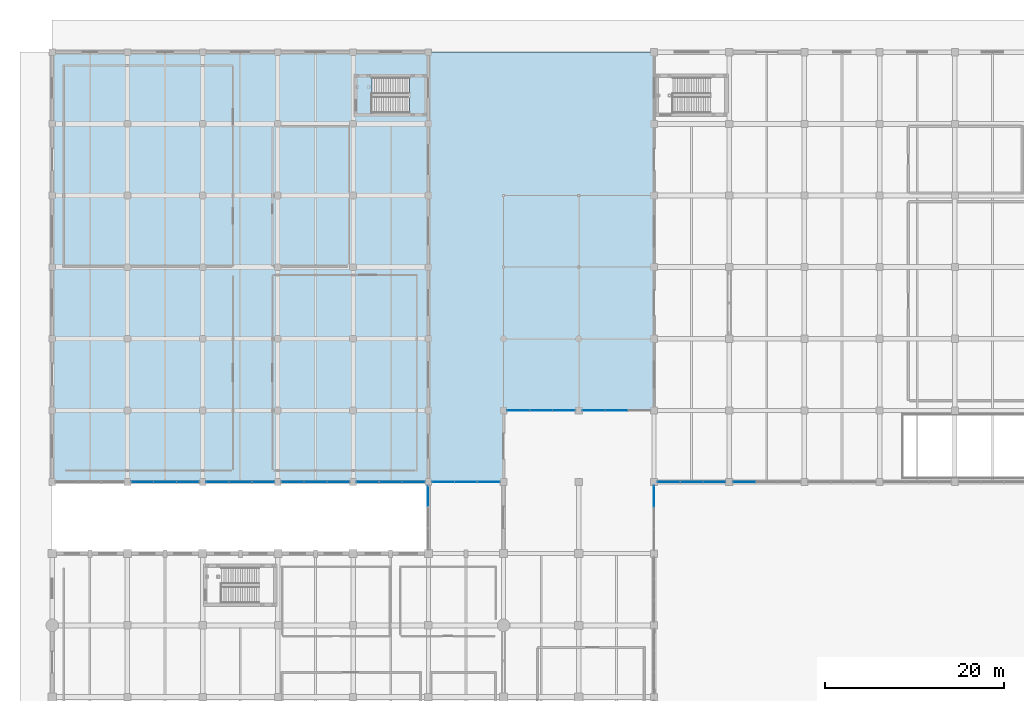
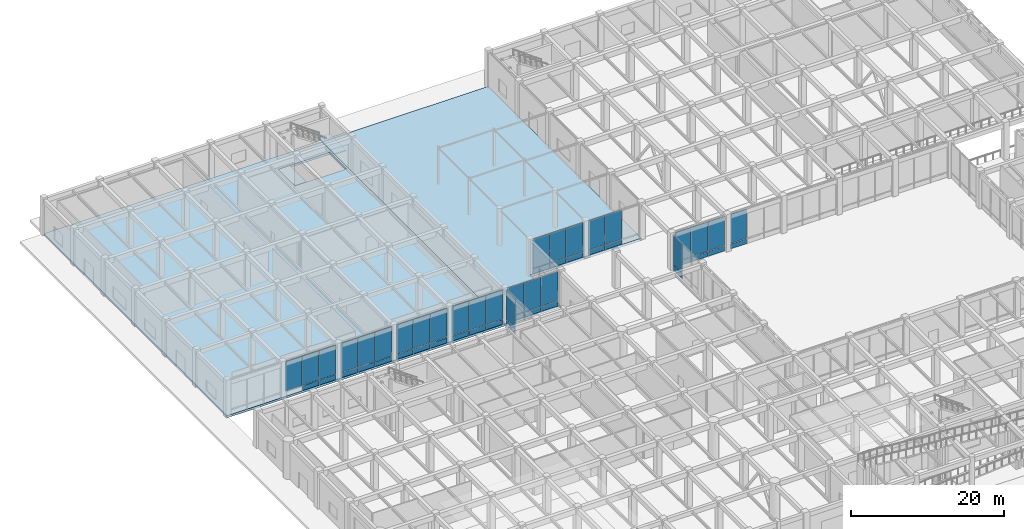
# One storey, part 45 of 76: 51 plates, 4 slabs, 12 elements without a shape of their own.
"""IFC4 building model written with IfcOpenShell, lengths in metres."""

from ifc_helpers import new_model, si_unit, direction, frame, origin, origin_2d, place, context, subcontext, project, spatial, polyline, rectangle, outline, extrude, material, layer, layer_set, type_object, element, aggregate, save


model = new_model("IFC4")

# Units and contexts
model_context = context("Model", 3, precision=1e-05, world=origin(), true_north=direction((0.0, 1.0)))
body_context = subcontext(model_context, "Body", "Model", "MODEL_VIEW")
ifc_project = project(units=[si_unit("LENGTHUNIT", "METRE"), si_unit("AREAUNIT", "SQUARE_METRE"), si_unit("VOLUMEUNIT", "CUBIC_METRE"), si_unit("PLANEANGLEUNIT", "RADIAN"), si_unit("MASSUNIT", "GRAM", prefix="KILO")], contexts=[model_context])

# Site, building, storey
site_placement = place(None, origin())
site = spatial("IfcSite", under=ifc_project, at=site_placement, CompositionType="ELEMENT")
building_placement = place(site_placement, origin())
building = spatial("IfcBuilding", under=site, at=building_placement, Name="Naruveol Harbour Congress Hotel", CompositionType="ELEMENT")
storey_placement = place(building_placement, origin())
storey = spatial("IfcBuildingStorey", under=building, at=storey_placement, Name="L00", CompositionType="ELEMENT", Elevation=0.0)

# Curtain wall, plates
ifc_material_1 = material(Name="Low-E Curtain Wall System", Category="glass")
ifc_layer_1 = layer(ifc_material_1, 0.179931640625)
ifc_layer_set_1 = layer_set([ifc_layer_1], Name="Low-E Curtain Wall System")
curtain_wall_type_1 = type_object("IfcCurtainWallType", Name="UNITISED CURTAIN WALL CW-SPLN-08 7625X5700", PredefinedType="USERDEFINED", material=ifc_layer_set_1)
curtain_wall_1_placement = place(storey_placement, origin())
curtain_wall_1 = element("IfcCurtainWall", 1, at=curtain_wall_1_placement, inside=storey, type_object=curtain_wall_type_1, Name="Unitised curtain wall CW-SPLN-08 L00", ObjectType="UNITISED GLAZING", PredefinedType="USERDEFINED")
ifc_material_2 = material(Name="Anodised Aluminium Spandrel", Category="aluminium")
ifc_layer_2 = layer(ifc_material_2, 0.054931640625)
ifc_layer_set_2 = layer_set([ifc_layer_2], Name="Anodised Aluminium Spandrel")
plate_type_1 = type_object("IfcPlateType", Name="INSULATED CERAMIC SPANDREL PANEL 55", PredefinedType="CURTAIN_PANEL", material=ifc_layer_set_2)
plate_1_placement = place(storey_placement, frame((43.645751953125, 64.010009765625, 0.0400390625), z_axis=(0.0, 0.0, 1.0), x_axis=(1.0, 0.0, 0.0)))
plate_1 = element("IfcPlate", 2, at=plate_1_placement, type_object=plate_type_1, Name="Curtain wall spandrel panel CW-L00-0009-PS0", PredefinedType="CURTAIN_PANEL", context=body_context, shape_type="SweptSolid", body=[
    extrude(rectangle(XDim=2.4619140625, YDim=0.054931640625, at=origin_2d()), origin(), (0.0, 0.0, 1.0), 0.77001953125),
])
plate_2_placement = place(storey_placement, frame((46.1875, 64.010009765625, 0.0400390625), z_axis=(0.0, 0.0, 1.0), x_axis=(1.0, 0.0, 0.0)))
plate_2 = element("IfcPlate", 3, at=plate_2_placement, type_object=plate_type_1, Name="Curtain wall spandrel panel CW-L00-0009-PS1", PredefinedType="CURTAIN_PANEL", context=body_context, shape_type="SweptSolid", body=[
    extrude(rectangle(XDim=2.4619140625, YDim=0.054931640625, at=origin_2d()), origin(), (0.0, 0.0, 1.0), 0.77001953125),
])
plate_3_placement = place(storey_placement, frame((48.729248046875, 64.010009765625, 0.0400390625), z_axis=(0.0, 0.0, 1.0), x_axis=(1.0, 0.0, 0.0)))
plate_3 = element("IfcPlate", 4, at=plate_3_placement, type_object=plate_type_1, Name="Curtain wall spandrel panel CW-L00-0009-PS2", PredefinedType="CURTAIN_PANEL", context=body_context, shape_type="SweptSolid", body=[
    extrude(rectangle(XDim=2.4619140625, YDim=0.054931640625, at=origin_2d()), origin(), (0.0, 0.0, 1.0), 0.77001953125),
])

# Curtain wall, plate
ifc_material_3 = material(Name="Low-E Curtain Wall System", Category="glass")
ifc_layer_3 = layer(ifc_material_3, 0.179931640625)
ifc_layer_set_3 = layer_set([ifc_layer_3], Name="Low-E Curtain Wall System")
curtain_wall_type_2 = type_object("IfcCurtainWallType", Name="UNITISED CURTAIN WALL CW-SPLW-09 7175X5700", PredefinedType="USERDEFINED", material=ifc_layer_set_3)
curtain_wall_2_placement = place(storey_placement, origin())
curtain_wall_2 = element("IfcCurtainWall", 5, at=curtain_wall_2_placement, inside=storey, type_object=curtain_wall_type_2, Name="Unitised curtain wall CW-SPLW-09 L00", ObjectType="UNITISED GLAZING", PredefinedType="USERDEFINED")
plate_4_placement = place(storey_placement, frame((41.989990234375, 62.42919921875, 0.0400390625), z_axis=(0.0, 0.0, 1.0), x_axis=(0.0, 1.0, 0.0)))
plate_4 = element("IfcPlate", 6, at=plate_4_placement, type_object=plate_type_1, Name="Curtain wall spandrel panel CW-L00-0010-PS2", PredefinedType="CURTAIN_PANEL", context=body_context, shape_type="SweptSolid", body=[
    extrude(rectangle(XDim=2.31201171875, YDim=0.054931640625, at=origin_2d()), origin(), (0.0, 0.0, 1.0), 0.77001953125),
])

# Curtain wall, plates
ifc_material_4 = material(Name="Low-E Curtain Wall System", Category="glass")
ifc_layer_4 = layer(ifc_material_4, 0.179931640625)
ifc_layer_set_4 = layer_set([ifc_layer_4], Name="Low-E Curtain Wall System")
curtain_wall_type_3 = type_object("IfcCurtainWallType", Name="UNITISED CURTAIN WALL CW-V3S-12 7650X5700", PredefinedType="USERDEFINED", material=ifc_layer_set_4)
curtain_wall_3_placement = place(storey_placement, origin())
curtain_wall_3 = element("IfcCurtainWall", 7, at=curtain_wall_3_placement, inside=storey, type_object=curtain_wall_type_3, Name="Unitised curtain wall CW-V3S-12 L00", ObjectType="UNITISED GLAZING", PredefinedType="USERDEFINED")
plate_5_placement = place(storey_placement, frame((40.35009765625, 63.989990234375, 0.0400390625), z_axis=(0.0, 0.0, 1.0), x_axis=(-1.0, 0.0, 0.0)))
plate_5 = element("IfcPlate", 8, at=plate_5_placement, type_object=plate_type_1, Name="Curtain wall spandrel panel CW-L00-0013-PS0", PredefinedType="CURTAIN_PANEL", context=body_context, shape_type="SweptSolid", body=[
    extrude(rectangle(XDim=2.469970703125, YDim=0.054931640625, at=origin_2d()), origin(), (0.0, 0.0, 1.0), 0.77001953125),
])
plate_6_placement = place(storey_placement, frame((37.800048828125, 63.989990234375, 0.0400390625), z_axis=(0.0, 0.0, 1.0), x_axis=(-1.0, 0.0, 0.0)))
plate_6 = element("IfcPlate", 9, at=plate_6_placement, type_object=plate_type_1, Name="Curtain wall spandrel panel CW-L00-0013-PS1", PredefinedType="CURTAIN_PANEL", context=body_context, shape_type="SweptSolid", body=[
    extrude(rectangle(XDim=2.469970703125, YDim=0.054931640625, at=origin_2d()), origin(), (0.0, 0.0, 1.0), 0.77001953125),
])
plate_7_placement = place(storey_placement, frame((35.25, 63.989990234375, 0.0400390625), z_axis=(0.0, 0.0, 1.0), x_axis=(-1.0, 0.0, 0.0)))
plate_7 = element("IfcPlate", 10, at=plate_7_placement, type_object=plate_type_1, Name="Curtain wall spandrel panel CW-L00-0013-PS2", PredefinedType="CURTAIN_PANEL", context=body_context, shape_type="SweptSolid", body=[
    extrude(rectangle(XDim=2.469970703125, YDim=0.054931640625, at=origin_2d()), origin(), (0.0, 0.0, 1.0), 0.77001953125),
])

curtain_wall_4_placement = place(storey_placement, origin())
curtain_wall_4 = element("IfcCurtainWall", 11, at=curtain_wall_4_placement, inside=storey, type_object=curtain_wall_type_3, Name="Unitised curtain wall CW-V3S-12 L00", ObjectType="UNITISED GLAZING", PredefinedType="USERDEFINED")
plate_8_placement = place(storey_placement, frame((31.949951171875, 63.989990234375, 0.0400390625), z_axis=(0.0, 0.0, 1.0), x_axis=(-1.0, 0.0, 0.0)))
plate_8 = element("IfcPlate", 12, at=plate_8_placement, type_object=plate_type_1, Name="Curtain wall spandrel panel CW-L00-0014-PS0", PredefinedType="CURTAIN_PANEL", context=body_context, shape_type="SweptSolid", body=[
    extrude(rectangle(XDim=2.469970703125, YDim=0.054931640625, at=origin_2d()), origin(), (0.0, 0.0, 1.0), 0.77001953125),
])
plate_9_placement = place(storey_placement, frame((29.39990234375, 63.989990234375, 0.0400390625), z_axis=(0.0, 0.0, 1.0), x_axis=(-1.0, 0.0, 0.0)))
plate_9 = element("IfcPlate", 13, at=plate_9_placement, type_object=plate_type_1, Name="Curtain wall spandrel panel CW-L00-0014-PS1", PredefinedType="CURTAIN_PANEL", context=body_context, shape_type="SweptSolid", body=[
    extrude(rectangle(XDim=2.469970703125, YDim=0.054931640625, at=origin_2d()), origin(), (0.0, 0.0, 1.0), 0.77001953125),
])
plate_10_placement = place(storey_placement, frame((26.85009765625, 63.989990234375, 0.0400390625), z_axis=(0.0, 0.0, 1.0), x_axis=(-1.0, 0.0, 0.0)))
plate_10 = element("IfcPlate", 14, at=plate_10_placement, type_object=plate_type_1, Name="Curtain wall spandrel panel CW-L00-0014-PS2", PredefinedType="CURTAIN_PANEL", context=body_context, shape_type="SweptSolid", body=[
    extrude(rectangle(XDim=2.469970703125, YDim=0.054931640625, at=origin_2d()), origin(), (0.0, 0.0, 1.0), 0.77001953125),
])

curtain_wall_5_placement = place(storey_placement, origin())
curtain_wall_5 = element("IfcCurtainWall", 15, at=curtain_wall_5_placement, inside=storey, type_object=curtain_wall_type_3, Name="Unitised curtain wall CW-V3S-12 L00", ObjectType="UNITISED GLAZING", PredefinedType="USERDEFINED")
plate_11_placement = place(storey_placement, frame((23.550048828125, 63.989990234375, 0.0400390625), z_axis=(0.0, 0.0, 1.0), x_axis=(-1.0, 0.0, 0.0)))
plate_11 = element("IfcPlate", 16, at=plate_11_placement, type_object=plate_type_1, Name="Curtain wall spandrel panel CW-L00-0015-PS0", PredefinedType="CURTAIN_PANEL", context=body_context, shape_type="SweptSolid", body=[
    extrude(rectangle(XDim=2.469970703125, YDim=0.054931640625, at=origin_2d()), origin(), (0.0, 0.0, 1.0), 0.77001953125),
])
plate_12_placement = place(storey_placement, frame((21.0, 63.989990234375, 0.0400390625), z_axis=(0.0, 0.0, 1.0), x_axis=(-1.0, 0.0, 0.0)))
plate_12 = element("IfcPlate", 17, at=plate_12_placement, type_object=plate_type_1, Name="Curtain wall spandrel panel CW-L00-0015-PS1", PredefinedType="CURTAIN_PANEL", context=body_context, shape_type="SweptSolid", body=[
    extrude(rectangle(XDim=2.469970703125, YDim=0.054931640625, at=origin_2d()), origin(), (0.0, 0.0, 1.0), 0.77001953125),
])
plate_13_placement = place(storey_placement, frame((18.449951171875, 63.989990234375, 0.0400390625), z_axis=(0.0, 0.0, 1.0), x_axis=(-1.0, 0.0, 0.0)))
plate_13 = element("IfcPlate", 18, at=plate_13_placement, type_object=plate_type_1, Name="Curtain wall spandrel panel CW-L00-0015-PS2", PredefinedType="CURTAIN_PANEL", context=body_context, shape_type="SweptSolid", body=[
    extrude(rectangle(XDim=2.469970703125, YDim=0.054931640625, at=origin_2d()), origin(), (0.0, 0.0, 1.0), 0.77001953125),
])

curtain_wall_6_placement = place(storey_placement, origin())
curtain_wall_6 = element("IfcCurtainWall", 19, at=curtain_wall_6_placement, inside=storey, type_object=curtain_wall_type_3, Name="Unitised curtain wall CW-V3S-12 L00", ObjectType="UNITISED GLAZING", PredefinedType="USERDEFINED")
plate_14_placement = place(storey_placement, frame((15.14990234375, 63.989990234375, 0.0400390625), z_axis=(0.0, 0.0, 1.0), x_axis=(-1.0, 0.0, 0.0)))
plate_14 = element("IfcPlate", 20, at=plate_14_placement, type_object=plate_type_1, Name="Curtain wall spandrel panel CW-L00-0016-PS0", PredefinedType="CURTAIN_PANEL", context=body_context, shape_type="SweptSolid", body=[
    extrude(rectangle(XDim=2.469970703125, YDim=0.054931640625, at=origin_2d()), origin(), (0.0, 0.0, 1.0), 0.77001953125),
])
plate_15_placement = place(storey_placement, frame((12.60009765625, 63.989990234375, 0.0400390625), z_axis=(0.0, 0.0, 1.0), x_axis=(-1.0, 0.0, 0.0)))
plate_15 = element("IfcPlate", 21, at=plate_15_placement, type_object=plate_type_1, Name="Curtain wall spandrel panel CW-L00-0016-PS1", PredefinedType="CURTAIN_PANEL", context=body_context, shape_type="SweptSolid", body=[
    extrude(rectangle(XDim=2.469970703125, YDim=0.054931640625, at=origin_2d()), origin(), (0.0, 0.0, 1.0), 0.77001953125),
])

ifc_material_5 = material(Name="Low-E Curtain Wall System", Category="glass")
ifc_layer_5 = layer(ifc_material_5, 0.179931640625)
ifc_layer_set_5 = layer_set([ifc_layer_5], Name="Low-E Curtain Wall System")
curtain_wall_type_4 = type_object("IfcCurtainWallType", Name="UNITISED CURTAIN WALL CW-V4NF-25 7600X5700", PredefinedType="USERDEFINED", material=ifc_layer_set_5)
curtain_wall_7_placement = place(storey_placement, origin())
curtain_wall_7 = element("IfcCurtainWall", 22, at=curtain_wall_7_placement, inside=storey, type_object=curtain_wall_type_4, Name="Unitised curtain wall CW-V4NF-25 L00", ObjectType="UNITISED GLAZING", PredefinedType="USERDEFINED")
plate_16_placement = place(storey_placement, frame((52.066650390625, 72.010009765625, 0.0400390625), z_axis=(0.0, 0.0, 1.0), x_axis=(1.0, 0.0, 0.0)))
plate_16 = element("IfcPlate", 23, at=plate_16_placement, type_object=plate_type_1, Name="Curtain wall spandrel panel CW-L00-0052-PS0", PredefinedType="CURTAIN_PANEL", context=body_context, shape_type="SweptSolid", body=[
    extrude(rectangle(XDim=2.452880859375, YDim=0.054931640625, at=origin_2d()), origin(), (0.0, 0.0, 1.0), 0.77001953125),
])
plate_17_placement = place(storey_placement, frame((54.60009765625, 72.010009765625, 0.0400390625), z_axis=(0.0, 0.0, 1.0), x_axis=(1.0, 0.0, 0.0)))
plate_17 = element("IfcPlate", 24, at=plate_17_placement, type_object=plate_type_1, Name="Curtain wall spandrel panel CW-L00-0052-PS1", PredefinedType="CURTAIN_PANEL", context=body_context, shape_type="SweptSolid", body=[
    extrude(rectangle(XDim=2.452880859375, YDim=0.054931640625, at=origin_2d()), origin(), (0.0, 0.0, 1.0), 0.77001953125),
])
plate_18_placement = place(storey_placement, frame((57.13330078125, 72.010009765625, 0.0400390625), z_axis=(0.0, 0.0, 1.0), x_axis=(1.0, 0.0, 0.0)))
plate_18 = element("IfcPlate", 25, at=plate_18_placement, type_object=plate_type_1, Name="Curtain wall spandrel panel CW-L00-0052-PS2", PredefinedType="CURTAIN_PANEL", context=body_context, shape_type="SweptSolid", body=[
    extrude(rectangle(XDim=2.452880859375, YDim=0.054931640625, at=origin_2d()), origin(), (0.0, 0.0, 1.0), 0.77001953125),
])

curtain_wall_8_placement = place(storey_placement, origin())
curtain_wall_8 = element("IfcCurtainWall", 26, at=curtain_wall_8_placement, inside=storey, type_object=curtain_wall_type_4, Name="Unitised curtain wall CW-V4NF-25 L00", ObjectType="UNITISED GLAZING", PredefinedType="USERDEFINED")
plate_19_placement = place(storey_placement, frame((60.466796875, 72.010009765625, 0.0400390625), z_axis=(0.0, 0.0, 1.0), x_axis=(1.0, 0.0, 0.0)))
plate_19 = element("IfcPlate", 27, at=plate_19_placement, type_object=plate_type_1, Name="Curtain wall spandrel panel CW-L00-0053-PS0", PredefinedType="CURTAIN_PANEL", context=body_context, shape_type="SweptSolid", body=[
    extrude(rectangle(XDim=2.452880859375, YDim=0.054931640625, at=origin_2d()), origin(), (0.0, 0.0, 1.0), 0.77001953125),
])
plate_20_placement = place(storey_placement, frame((63.0, 72.010009765625, 0.0400390625), z_axis=(0.0, 0.0, 1.0), x_axis=(1.0, 0.0, 0.0)))
plate_20 = element("IfcPlate", 28, at=plate_20_placement, type_object=plate_type_1, Name="Curtain wall spandrel panel CW-L00-0053-PS1", PredefinedType="CURTAIN_PANEL", context=body_context, shape_type="SweptSolid", body=[
    extrude(rectangle(XDim=2.452880859375, YDim=0.054931640625, at=origin_2d()), origin(), (0.0, 0.0, 1.0), 0.77001953125),
])

ifc_material_6 = material(Name="Low-E Curtain Wall System", Category="glass")
ifc_layer_6 = layer(ifc_material_6, 0.179931640625)
ifc_layer_set_6 = layer_set([ifc_layer_6], Name="Low-E Curtain Wall System")
curtain_wall_type_5 = type_object("IfcCurtainWallType", Name="UNITISED CURTAIN WALL CW-CTN-26 7600X5700", PredefinedType="USERDEFINED", material=ifc_layer_set_6)
curtain_wall_9_placement = place(storey_placement, origin())
curtain_wall_9 = element("IfcCurtainWall", 29, at=curtain_wall_9_placement, inside=storey, type_object=curtain_wall_type_5, Name="Unitised curtain wall CW-CTN-26 L00", ObjectType="UNITISED GLAZING", PredefinedType="USERDEFINED")
plate_21_placement = place(storey_placement, frame((73.933349609375, 63.989990234375, 0.0400390625), z_axis=(0.0, 0.0, 1.0), x_axis=(-1.0, 0.0, 0.0)))
plate_21 = element("IfcPlate", 30, at=plate_21_placement, type_object=plate_type_1, Name="Curtain wall spandrel panel CW-L00-0054-PS0", PredefinedType="CURTAIN_PANEL", context=body_context, shape_type="SweptSolid", body=[
    extrude(rectangle(XDim=2.452880859375, YDim=0.054931640625, at=origin_2d()), origin(), (0.0, 0.0, 1.0), 0.77001953125),
])
plate_22_placement = place(storey_placement, frame((71.39990234375, 63.989990234375, 0.0400390625), z_axis=(0.0, 0.0, 1.0), x_axis=(-1.0, 0.0, 0.0)))
plate_22 = element("IfcPlate", 31, at=plate_22_placement, type_object=plate_type_1, Name="Curtain wall spandrel panel CW-L00-0054-PS1", PredefinedType="CURTAIN_PANEL", context=body_context, shape_type="SweptSolid", body=[
    extrude(rectangle(XDim=2.452880859375, YDim=0.054931640625, at=origin_2d()), origin(), (0.0, 0.0, 1.0), 0.77001953125),
])
plate_23_placement = place(storey_placement, frame((68.86669921875, 63.989990234375, 0.0400390625), z_axis=(0.0, 0.0, 1.0), x_axis=(-1.0, 0.0, 0.0)))
plate_23 = element("IfcPlate", 32, at=plate_23_placement, type_object=plate_type_1, Name="Curtain wall spandrel panel CW-L00-0054-PS2", PredefinedType="CURTAIN_PANEL", context=body_context, shape_type="SweptSolid", body=[
    extrude(rectangle(XDim=2.452880859375, YDim=0.054931640625, at=origin_2d()), origin(), (0.0, 0.0, 1.0), 0.77001953125),
])

# Curtain wall, plate
curtain_wall_10_placement = place(storey_placement, origin())
curtain_wall_10 = element("IfcCurtainWall", 33, at=curtain_wall_10_placement, inside=storey, type_object=curtain_wall_type_5, Name="Unitised curtain wall CW-CTN-26 L00", ObjectType="UNITISED GLAZING", PredefinedType="USERDEFINED")
plate_24_placement = place(storey_placement, frame((77.2666015625, 63.989990234375, 0.0400390625), z_axis=(0.0, 0.0, 1.0), x_axis=(-1.0, 0.0, 0.0)))
plate_24 = element("IfcPlate", 34, at=plate_24_placement, type_object=plate_type_1, Name="Curtain wall spandrel panel CW-L00-0056-PS2", PredefinedType="CURTAIN_PANEL", context=body_context, shape_type="SweptSolid", body=[
    extrude(rectangle(XDim=2.452880859375, YDim=0.054931640625, at=origin_2d()), origin(), (0.0, 0.0, 1.0), 0.77001953125),
])

ifc_material_7 = material(Name="Low-E Curtain Wall System", Category="glass")
ifc_layer_7 = layer(ifc_material_7, 0.179931640625)
ifc_layer_set_7 = layer_set([ifc_layer_7], Name="Low-E Curtain Wall System")
curtain_wall_type_6 = type_object("IfcCurtainWallType", Name="UNITISED CURTAIN WALL CW-CTW-28 7200X5700", PredefinedType="USERDEFINED", material=ifc_layer_set_7)
curtain_wall_11_placement = place(storey_placement, origin())
curtain_wall_11 = element("IfcCurtainWall", 35, at=curtain_wall_11_placement, inside=storey, type_object=curtain_wall_type_6, Name="Unitised curtain wall CW-CTW-28 L00", ObjectType="UNITISED GLAZING", PredefinedType="USERDEFINED")
plate_25_placement = place(storey_placement, frame((67.18994140625, 62.39990234375, 0.0400390625), z_axis=(0.0, 0.0, 1.0), x_axis=(0.0, 1.0, 0.0)))
plate_25 = element("IfcPlate", 36, at=plate_25_placement, type_object=plate_type_1, Name="Curtain wall spandrel panel CW-L00-0069-PS2", PredefinedType="CURTAIN_PANEL", context=body_context, shape_type="SweptSolid", body=[
    extrude(rectangle(XDim=2.320068359375, YDim=0.054931640625, at=origin_2d()), origin(), (0.0, 0.0, 1.0), 0.77001953125),
])

# Plate
ifc_material_8 = material(Name="Low-E Insulated Glass", Category="glass")
ifc_layer_8 = layer(ifc_material_8, 0.0419921875)
ifc_layer_set_8 = layer_set([ifc_layer_8], Name="Low-E Insulated Glass")
plate_type_2 = type_object("IfcPlateType", Name="LOW-E TRIPLE GLAZED CURTAIN PANEL 42", PredefinedType="CURTAIN_PANEL", material=ifc_layer_set_8)
plate_26_placement = place(storey_placement, frame((43.645751953125, 64.010009765625, 0.89013671875), z_axis=(0.0, 0.0, 1.0), x_axis=(1.0, 0.0, 0.0)))
plate_26 = element("IfcPlate", 37, at=plate_26_placement, type_object=plate_type_2, Name="Curtain wall vision panel CW-L00-0009-PG0", PredefinedType="CURTAIN_PANEL", context=body_context, shape_type="SweptSolid", body=[
    extrude(rectangle(XDim=2.4619140625, YDim=0.0419921875, at=origin_2d()), origin(), (0.0, 0.0, 1.0), 4.68994140625),
])

plate_27_placement = place(storey_placement, frame((46.1875, 64.010009765625, 0.89013671875), z_axis=(0.0, 0.0, 1.0), x_axis=(1.0, 0.0, 0.0)))
plate_27 = element("IfcPlate", 38, at=plate_27_placement, type_object=plate_type_2, Name="Curtain wall vision panel CW-L00-0009-PG1", PredefinedType="CURTAIN_PANEL", context=body_context, shape_type="SweptSolid", body=[
    extrude(rectangle(XDim=2.4619140625, YDim=0.0419921875, at=origin_2d()), origin(), (0.0, 0.0, 1.0), 4.68994140625),
])

plate_28_placement = place(storey_placement, frame((48.729248046875, 64.010009765625, 0.89013671875), z_axis=(0.0, 0.0, 1.0), x_axis=(1.0, 0.0, 0.0)))
plate_28 = element("IfcPlate", 39, at=plate_28_placement, type_object=plate_type_2, Name="Curtain wall vision panel CW-L00-0009-PG2", PredefinedType="CURTAIN_PANEL", context=body_context, shape_type="SweptSolid", body=[
    extrude(rectangle(XDim=2.4619140625, YDim=0.0419921875, at=origin_2d()), origin(), (0.0, 0.0, 1.0), 4.68994140625),
])

aggregate(curtain_wall_1, [plate_1, plate_26, plate_2, plate_27, plate_3, plate_28])

plate_29_placement = place(storey_placement, frame((41.989990234375, 62.42919921875, 0.89013671875), z_axis=(0.0, 0.0, 1.0), x_axis=(0.0, 1.0, 0.0)))
plate_29 = element("IfcPlate", 40, at=plate_29_placement, type_object=plate_type_2, Name="Curtain wall vision panel CW-L00-0010-PG2", PredefinedType="CURTAIN_PANEL", context=body_context, shape_type="SweptSolid", body=[
    extrude(rectangle(XDim=2.31201171875, YDim=0.0419921875, at=origin_2d()), origin(), (0.0, 0.0, 1.0), 4.68994140625),
])

aggregate(curtain_wall_2, [plate_4, plate_29])

plate_30_placement = place(storey_placement, frame((40.35009765625, 63.989990234375, 0.89013671875), z_axis=(0.0, 0.0, 1.0), x_axis=(-1.0, 0.0, 0.0)))
plate_30 = element("IfcPlate", 41, at=plate_30_placement, type_object=plate_type_2, Name="Curtain wall vision panel CW-L00-0013-PG0", PredefinedType="CURTAIN_PANEL", context=body_context, shape_type="SweptSolid", body=[
    extrude(rectangle(XDim=2.469970703125, YDim=0.0419921875, at=origin_2d()), origin(), (0.0, 0.0, 1.0), 4.68994140625),
])

plate_31_placement = place(storey_placement, frame((37.800048828125, 63.989990234375, 0.89013671875), z_axis=(0.0, 0.0, 1.0), x_axis=(-1.0, 0.0, 0.0)))
plate_31 = element("IfcPlate", 42, at=plate_31_placement, type_object=plate_type_2, Name="Curtain wall vision panel CW-L00-0013-PG1", PredefinedType="CURTAIN_PANEL", context=body_context, shape_type="SweptSolid", body=[
    extrude(rectangle(XDim=2.469970703125, YDim=0.0419921875, at=origin_2d()), origin(), (0.0, 0.0, 1.0), 4.68994140625),
])

plate_32_placement = place(storey_placement, frame((35.25, 63.989990234375, 0.89013671875), z_axis=(0.0, 0.0, 1.0), x_axis=(-1.0, 0.0, 0.0)))
plate_32 = element("IfcPlate", 43, at=plate_32_placement, type_object=plate_type_2, Name="Curtain wall vision panel CW-L00-0013-PG2", PredefinedType="CURTAIN_PANEL", context=body_context, shape_type="SweptSolid", body=[
    extrude(rectangle(XDim=2.469970703125, YDim=0.0419921875, at=origin_2d()), origin(), (0.0, 0.0, 1.0), 4.68994140625),
])

aggregate(curtain_wall_3, [plate_5, plate_30, plate_6, plate_31, plate_7, plate_32])

plate_33_placement = place(storey_placement, frame((31.949951171875, 63.989990234375, 0.89013671875), z_axis=(0.0, 0.0, 1.0), x_axis=(-1.0, 0.0, 0.0)))
plate_33 = element("IfcPlate", 44, at=plate_33_placement, type_object=plate_type_2, Name="Curtain wall vision panel CW-L00-0014-PG0", PredefinedType="CURTAIN_PANEL", context=body_context, shape_type="SweptSolid", body=[
    extrude(rectangle(XDim=2.469970703125, YDim=0.0419921875, at=origin_2d()), origin(), (0.0, 0.0, 1.0), 4.68994140625),
])

plate_34_placement = place(storey_placement, frame((29.39990234375, 63.989990234375, 0.89013671875), z_axis=(0.0, 0.0, 1.0), x_axis=(-1.0, 0.0, 0.0)))
plate_34 = element("IfcPlate", 45, at=plate_34_placement, type_object=plate_type_2, Name="Curtain wall vision panel CW-L00-0014-PG1", PredefinedType="CURTAIN_PANEL", context=body_context, shape_type="SweptSolid", body=[
    extrude(rectangle(XDim=2.469970703125, YDim=0.0419921875, at=origin_2d()), origin(), (0.0, 0.0, 1.0), 4.68994140625),
])

plate_35_placement = place(storey_placement, frame((26.85009765625, 63.989990234375, 0.89013671875), z_axis=(0.0, 0.0, 1.0), x_axis=(-1.0, 0.0, 0.0)))
plate_35 = element("IfcPlate", 46, at=plate_35_placement, type_object=plate_type_2, Name="Curtain wall vision panel CW-L00-0014-PG2", PredefinedType="CURTAIN_PANEL", context=body_context, shape_type="SweptSolid", body=[
    extrude(rectangle(XDim=2.469970703125, YDim=0.0419921875, at=origin_2d()), origin(), (0.0, 0.0, 1.0), 4.68994140625),
])

aggregate(curtain_wall_4, [plate_8, plate_33, plate_9, plate_34, plate_10, plate_35])

plate_36_placement = place(storey_placement, frame((23.550048828125, 63.989990234375, 0.89013671875), z_axis=(0.0, 0.0, 1.0), x_axis=(-1.0, 0.0, 0.0)))
plate_36 = element("IfcPlate", 47, at=plate_36_placement, type_object=plate_type_2, Name="Curtain wall vision panel CW-L00-0015-PG0", PredefinedType="CURTAIN_PANEL", context=body_context, shape_type="SweptSolid", body=[
    extrude(rectangle(XDim=2.469970703125, YDim=0.0419921875, at=origin_2d()), origin(), (0.0, 0.0, 1.0), 4.68994140625),
])

plate_37_placement = place(storey_placement, frame((21.0, 63.989990234375, 0.89013671875), z_axis=(0.0, 0.0, 1.0), x_axis=(-1.0, 0.0, 0.0)))
plate_37 = element("IfcPlate", 48, at=plate_37_placement, type_object=plate_type_2, Name="Curtain wall vision panel CW-L00-0015-PG1", PredefinedType="CURTAIN_PANEL", context=body_context, shape_type="SweptSolid", body=[
    extrude(rectangle(XDim=2.469970703125, YDim=0.0419921875, at=origin_2d()), origin(), (0.0, 0.0, 1.0), 4.68994140625),
])

plate_38_placement = place(storey_placement, frame((18.449951171875, 63.989990234375, 0.89013671875), z_axis=(0.0, 0.0, 1.0), x_axis=(-1.0, 0.0, 0.0)))
plate_38 = element("IfcPlate", 49, at=plate_38_placement, type_object=plate_type_2, Name="Curtain wall vision panel CW-L00-0015-PG2", PredefinedType="CURTAIN_PANEL", context=body_context, shape_type="SweptSolid", body=[
    extrude(rectangle(XDim=2.469970703125, YDim=0.0419921875, at=origin_2d()), origin(), (0.0, 0.0, 1.0), 4.68994140625),
])

aggregate(curtain_wall_5, [plate_11, plate_36, plate_12, plate_37, plate_13, plate_38])

plate_39_placement = place(storey_placement, frame((15.14990234375, 63.989990234375, 0.89013671875), z_axis=(0.0, 0.0, 1.0), x_axis=(-1.0, 0.0, 0.0)))
plate_39 = element("IfcPlate", 50, at=plate_39_placement, type_object=plate_type_2, Name="Curtain wall vision panel CW-L00-0016-PG0", PredefinedType="CURTAIN_PANEL", context=body_context, shape_type="SweptSolid", body=[
    extrude(rectangle(XDim=2.469970703125, YDim=0.0419921875, at=origin_2d()), origin(), (0.0, 0.0, 1.0), 4.68994140625),
])

plate_40_placement = place(storey_placement, frame((12.60009765625, 63.989990234375, 0.89013671875), z_axis=(0.0, 0.0, 1.0), x_axis=(-1.0, 0.0, 0.0)))
plate_40 = element("IfcPlate", 51, at=plate_40_placement, type_object=plate_type_2, Name="Curtain wall vision panel CW-L00-0016-PG1", PredefinedType="CURTAIN_PANEL", context=body_context, shape_type="SweptSolid", body=[
    extrude(rectangle(XDim=2.469970703125, YDim=0.0419921875, at=origin_2d()), origin(), (0.0, 0.0, 1.0), 4.68994140625),
])

plate_41_placement = place(storey_placement, frame((10.050048828125, 63.989990234375, 0.89013671875), z_axis=(0.0, 0.0, 1.0), x_axis=(-1.0, 0.0, 0.0)))
plate_41 = element("IfcPlate", 52, at=plate_41_placement, type_object=plate_type_2, Name="Curtain wall vision panel CW-L00-0016-PG2", PredefinedType="CURTAIN_PANEL", context=body_context, shape_type="SweptSolid", body=[
    extrude(rectangle(XDim=2.469970703125, YDim=0.0419921875, at=origin_2d()), origin(), (0.0, 0.0, 1.0), 4.68994140625),
])

aggregate(curtain_wall_6, [plate_14, plate_39, plate_15, plate_40, plate_41])

plate_42_placement = place(storey_placement, frame((52.066650390625, 72.010009765625, 0.89013671875), z_axis=(0.0, 0.0, 1.0), x_axis=(1.0, 0.0, 0.0)))
plate_42 = element("IfcPlate", 53, at=plate_42_placement, type_object=plate_type_2, Name="Curtain wall vision panel CW-L00-0052-PG0", PredefinedType="CURTAIN_PANEL", context=body_context, shape_type="SweptSolid", body=[
    extrude(rectangle(XDim=2.452880859375, YDim=0.0419921875, at=origin_2d()), origin(), (0.0, 0.0, 1.0), 4.68994140625),
])

plate_43_placement = place(storey_placement, frame((54.60009765625, 72.010009765625, 0.89013671875), z_axis=(0.0, 0.0, 1.0), x_axis=(1.0, 0.0, 0.0)))
plate_43 = element("IfcPlate", 54, at=plate_43_placement, type_object=plate_type_2, Name="Curtain wall vision panel CW-L00-0052-PG1", PredefinedType="CURTAIN_PANEL", context=body_context, shape_type="SweptSolid", body=[
    extrude(rectangle(XDim=2.452880859375, YDim=0.0419921875, at=origin_2d()), origin(), (0.0, 0.0, 1.0), 4.68994140625),
])

plate_44_placement = place(storey_placement, frame((57.13330078125, 72.010009765625, 0.89013671875), z_axis=(0.0, 0.0, 1.0), x_axis=(1.0, 0.0, 0.0)))
plate_44 = element("IfcPlate", 55, at=plate_44_placement, type_object=plate_type_2, Name="Curtain wall vision panel CW-L00-0052-PG2", PredefinedType="CURTAIN_PANEL", context=body_context, shape_type="SweptSolid", body=[
    extrude(rectangle(XDim=2.452880859375, YDim=0.0419921875, at=origin_2d()), origin(), (0.0, 0.0, 1.0), 4.68994140625),
])

aggregate(curtain_wall_7, [plate_16, plate_42, plate_17, plate_43, plate_18, plate_44])

plate_45_placement = place(storey_placement, frame((60.466796875, 72.010009765625, 0.89013671875), z_axis=(0.0, 0.0, 1.0), x_axis=(1.0, 0.0, 0.0)))
plate_45 = element("IfcPlate", 56, at=plate_45_placement, type_object=plate_type_2, Name="Curtain wall vision panel CW-L00-0053-PG0", PredefinedType="CURTAIN_PANEL", context=body_context, shape_type="SweptSolid", body=[
    extrude(rectangle(XDim=2.452880859375, YDim=0.0419921875, at=origin_2d()), origin(), (0.0, 0.0, 1.0), 4.68994140625),
])

plate_46_placement = place(storey_placement, frame((63.0, 72.010009765625, 0.89013671875), z_axis=(0.0, 0.0, 1.0), x_axis=(1.0, 0.0, 0.0)))
plate_46 = element("IfcPlate", 57, at=plate_46_placement, type_object=plate_type_2, Name="Curtain wall vision panel CW-L00-0053-PG1", PredefinedType="CURTAIN_PANEL", context=body_context, shape_type="SweptSolid", body=[
    extrude(rectangle(XDim=2.452880859375, YDim=0.0419921875, at=origin_2d()), origin(), (0.0, 0.0, 1.0), 4.68994140625),
])

aggregate(curtain_wall_8, [plate_19, plate_45, plate_20, plate_46])

plate_47_placement = place(storey_placement, frame((73.933349609375, 63.989990234375, 0.89013671875), z_axis=(0.0, 0.0, 1.0), x_axis=(-1.0, 0.0, 0.0)))
plate_47 = element("IfcPlate", 58, at=plate_47_placement, type_object=plate_type_2, Name="Curtain wall vision panel CW-L00-0054-PG0", PredefinedType="CURTAIN_PANEL", context=body_context, shape_type="SweptSolid", body=[
    extrude(rectangle(XDim=2.452880859375, YDim=0.0419921875, at=origin_2d()), origin(), (0.0, 0.0, 1.0), 4.68994140625),
])

plate_48_placement = place(storey_placement, frame((71.39990234375, 63.989990234375, 0.89013671875), z_axis=(0.0, 0.0, 1.0), x_axis=(-1.0, 0.0, 0.0)))
plate_48 = element("IfcPlate", 59, at=plate_48_placement, type_object=plate_type_2, Name="Curtain wall vision panel CW-L00-0054-PG1", PredefinedType="CURTAIN_PANEL", context=body_context, shape_type="SweptSolid", body=[
    extrude(rectangle(XDim=2.452880859375, YDim=0.0419921875, at=origin_2d()), origin(), (0.0, 0.0, 1.0), 4.68994140625),
])

plate_49_placement = place(storey_placement, frame((68.86669921875, 63.989990234375, 0.89013671875), z_axis=(0.0, 0.0, 1.0), x_axis=(-1.0, 0.0, 0.0)))
plate_49 = element("IfcPlate", 60, at=plate_49_placement, type_object=plate_type_2, Name="Curtain wall vision panel CW-L00-0054-PG2", PredefinedType="CURTAIN_PANEL", context=body_context, shape_type="SweptSolid", body=[
    extrude(rectangle(XDim=2.452880859375, YDim=0.0419921875, at=origin_2d()), origin(), (0.0, 0.0, 1.0), 4.68994140625),
])

aggregate(curtain_wall_9, [plate_21, plate_47, plate_22, plate_48, plate_23, plate_49])

plate_50_placement = place(storey_placement, frame((77.2666015625, 63.989990234375, 0.89013671875), z_axis=(0.0, 0.0, 1.0), x_axis=(-1.0, 0.0, 0.0)))
plate_50 = element("IfcPlate", 61, at=plate_50_placement, type_object=plate_type_2, Name="Curtain wall vision panel CW-L00-0056-PG2", PredefinedType="CURTAIN_PANEL", context=body_context, shape_type="SweptSolid", body=[
    extrude(rectangle(XDim=2.452880859375, YDim=0.0419921875, at=origin_2d()), origin(), (0.0, 0.0, 1.0), 4.68994140625),
])

aggregate(curtain_wall_10, [plate_24, plate_50])

plate_51_placement = place(storey_placement, frame((67.18994140625, 62.39990234375, 0.89013671875), z_axis=(0.0, 0.0, 1.0), x_axis=(0.0, 1.0, 0.0)))
plate_51 = element("IfcPlate", 62, at=plate_51_placement, type_object=plate_type_2, Name="Curtain wall vision panel CW-L00-0069-PG2", PredefinedType="CURTAIN_PANEL", context=body_context, shape_type="SweptSolid", body=[
    extrude(rectangle(XDim=2.320068359375, YDim=0.0419921875, at=origin_2d()), origin(), (0.0, 0.0, 1.0), 4.68994140625),
])

aggregate(curtain_wall_11, [plate_25, plate_51])

# Slabs
ifc_material_9 = material(Name="Concrete C40/50", Category="concrete")
ifc_layer_9 = layer(ifc_material_9, 0.35009765625)
ifc_layer_set_9 = layer_set([ifc_layer_9], Name="Concrete C40/50")
slab_type_1 = type_object("IfcSlabType", Name="RC GROUND CONCOURSE SLAB 350", PredefinedType="FLOOR", material=ifc_layer_set_9)
slab_1_placement = place(storey_placement, frame((0.0, 0.0, -0.35009765625)))
element("IfcSlab", 63, at=slab_1_placement, inside=storey, type_object=slab_type_1, Name="Level L00 Thermal spa slab", PredefinedType="FLOOR", context=body_context, shape_type="SweptSolid", body=[
    extrude(outline(polyline([(0.0, 64.0), (42.0, 64.0), (42.0, 112.0), (0.0, 112.0), (0.0, 64.0)]), holes=[polyline([(33.89990234375, 105.0), (41.699951171875, 105.0), (41.699951171875, 109.360107421875), (33.89990234375, 109.360107421875), (33.89990234375, 105.0)])]), origin(), (0.0, 0.0, 1.0), 0.35009765625),
])
ifc_material_10 = material(Name="Concrete C40/50", Category="concrete")
ifc_layer_10 = layer(ifc_material_10, 0.39990234375)
ifc_layer_set_10 = layer_set([ifc_layer_10], Name="Concrete C40/50")
slab_type_2 = type_object("IfcSlabType", Name="RC PROMENADE PLINTH SLAB 400", PredefinedType="BASESLAB", material=ifc_layer_set_10)
slab_2_placement = place(storey_placement, frame((0.0, 0.0, -0.39990234375)))
element("IfcSlab", 64, at=slab_2_placement, inside=storey, type_object=slab_type_2, Name="Exterior North Arrival Forecourt Paving", PredefinedType="BASESLAB", context=body_context, shape_type="SweptSolid", body=[
    extrude(outline(polyline([(42.0, 64.0), (50.39990234375, 64.0), (50.39990234375, 72.0), (67.199951171875, 72.0), (67.199951171875, 112.0), (42.0, 112.0), (42.0, 64.0)])), origin(), (0.0, 0.0, 1.0), 0.39990234375),
])
ifc_material_11 = material(Name="Concrete C40/50", Category="concrete")
ifc_layer_11 = layer(ifc_material_11, 0.179931640625)
ifc_layer_set_11 = layer_set([ifc_layer_11], Name="Concrete C40/50")
slab_type_3 = type_object("IfcSlabType", Name="RC STAIR HALF LANDING SLAB 180", PredefinedType="LANDING", material=ifc_layer_set_11)
slab_3_placement = place(storey_placement, frame((0.0, 0.0, -0.179931640625)))
element("IfcSlab", 65, at=slab_3_placement, inside=storey, type_object=slab_type_3, Name="Stair ST7 L00 floor landing", PredefinedType="LANDING", context=body_context, shape_type="SweptSolid", body=[
    extrude(outline(polyline([(33.89990234375, 105.0), (35.699951171875, 105.0), (35.699951171875, 109.360107421875), (33.89990234375, 109.360107421875), (33.89990234375, 105.0)])), origin(), (0.0, 0.0, 1.0), 0.179931640625),
])

# Stair, slab
ifc_material_12 = material(Name="Concrete C40/50", Category="concrete")
stair_type = type_object("IfcStairType", Name="RC DOG LEG ESCAPE STAIR 1800W H6000", PredefinedType="HALF_TURN_STAIR", material=ifc_material_12)
stair_placement = place(storey_placement, origin())
stair = element("IfcStair", 66, at=stair_placement, inside=storey, type_object=stair_type, Name="Thermal Spa Exit Stair ST7 L00 to L01", PredefinedType="HALF_TURN_STAIR")
slab_4_placement = place(storey_placement, frame((0.0, 0.0, 2.820068359375)))
slab_4 = element("IfcSlab", 67, at=slab_4_placement, type_object=slab_type_3, Name="ST7 L00 half landing", PredefinedType="LANDING", context=body_context, shape_type="SweptSolid", body=[
    extrude(outline(polyline([(39.89990234375, 105.0), (41.699951171875, 105.0), (41.699951171875, 109.360107421875), (39.89990234375, 109.360107421875), (39.89990234375, 105.0)])), origin(), (0.0, 0.0, 1.0), 0.179931640625),
])
aggregate(stair, [slab_4])

save(model, "model.ifc")
